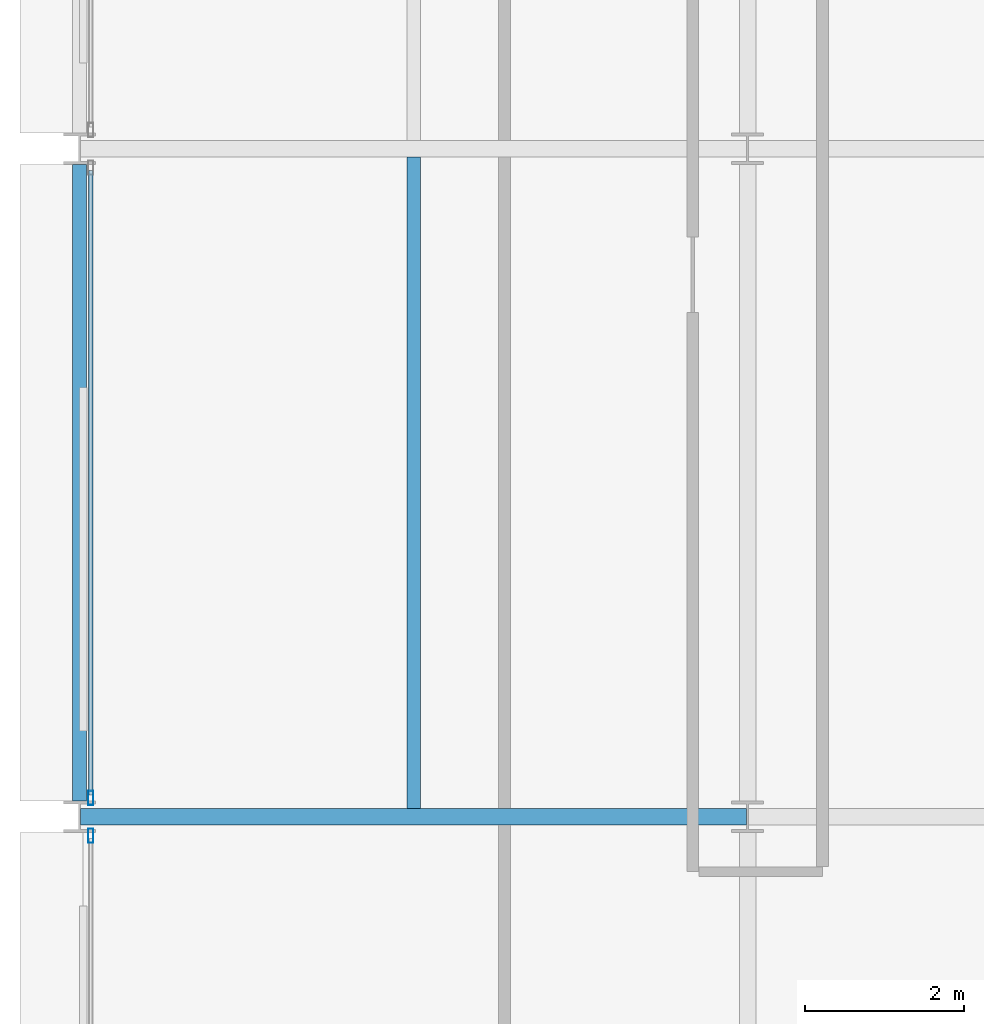
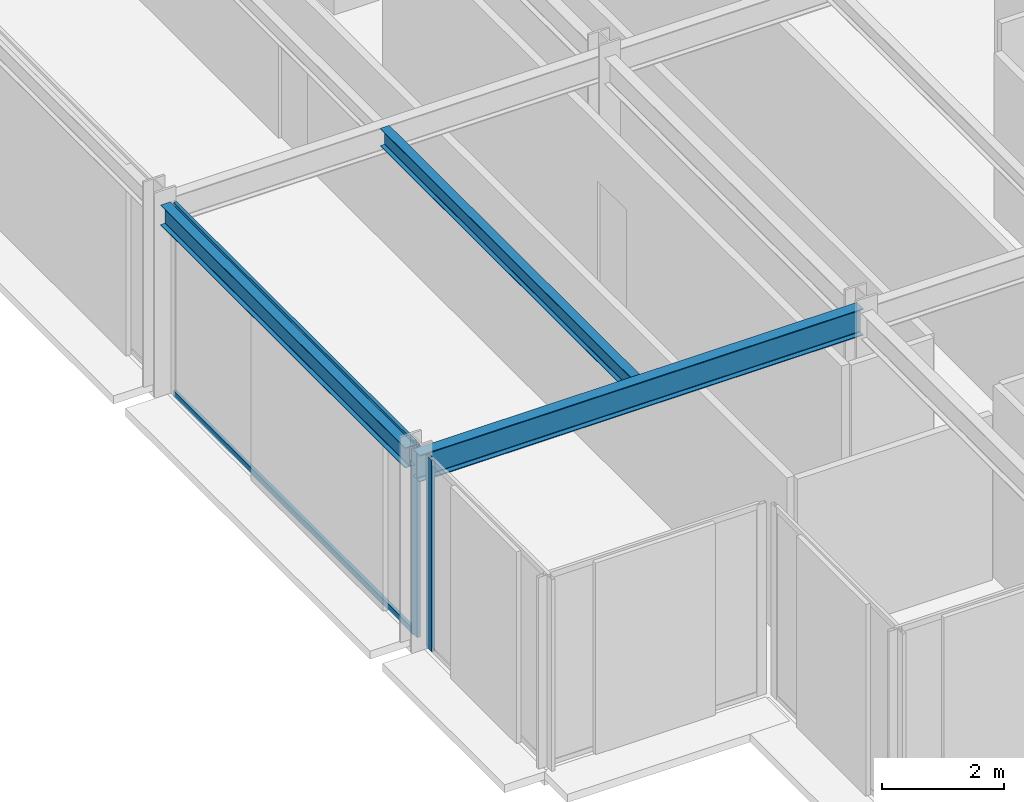
# One storey, part 4 of 30: 4 members, 3 beams, 2 elements without a shape of their own.
"""IFC4 building model written with IfcOpenShell, lengths in metres."""

from ifc_helpers import new_model, si_unit, direction, frame, origin, origin_2d, place, context, subcontext, project, spatial, hollow_rectangle, i_section, extrude, material, layer, layer_set, material_profile, profile_set, type_object, element, aggregate, save


model = new_model("IFC4")

# Units and contexts
model_context = context("Model", 3, precision=1e-05, world=origin(), true_north=direction((0.0, 1.0)))
body_context = subcontext(model_context, "Body", "Model", "MODEL_VIEW")
ifc_project = project(units=[si_unit("LENGTHUNIT", "METRE"), si_unit("AREAUNIT", "SQUARE_METRE"), si_unit("VOLUMEUNIT", "CUBIC_METRE"), si_unit("PLANEANGLEUNIT", "RADIAN"), si_unit("MASSUNIT", "GRAM", prefix="KILO")], contexts=[model_context])

# Site, building, storey
site_placement = place(None, origin())
site = spatial("IfcSite", under=ifc_project, at=site_placement, CompositionType="ELEMENT")
building_placement = place(site_placement, origin())
building = spatial("IfcBuilding", under=site, at=building_placement, Name="Nerrivon Quay Data Exchange", CompositionType="ELEMENT")
storey_placement = place(building_placement, frame((0.0, 0.0, 154.10009765625)))
storey = spatial("IfcBuildingStorey", under=building, at=storey_placement, Name="L36", CompositionType="ELEMENT", Elevation=154.10009765625)

# Beams
ifc_material_1 = material(Name="Steel Grade 350", Category="steel")
ifc_material_profile_1 = material_profile(ifc_material_1, i_section(OverallWidth=0.208984375, OverallDepth=0.532958984375, WebThickness=0.01025390625, FlangeThickness=0.015625, FilletRadius=0.013916015625, at=origin_2d()), Name="530UB92.4")
ifc_profile_set_1 = profile_set([ifc_material_profile_1], Name="Steel Grade 350")
beam_type_1 = type_object("IfcBeamType", Name="BM-G3-530UB92", PredefinedType="BEAM", material=ifc_profile_set_1)
beam_1_placement = place(storey_placement, frame((0.012451171875, 8.39990234375, 3.558349609375), z_axis=(1.0, 0.0, 0.0), x_axis=(0.0, 1.0, 0.0)))
element("IfcBeam", 1, at=beam_1_placement, inside=storey, type_object=beam_type_1, Name="L36 EW Girder Y=8.4 (0.0..8.4)", PredefinedType="BEAM", context=body_context, shape_type="SweptSolid", body=[
    extrude(i_section(OverallWidth=0.208984375, OverallDepth=0.532958984375, WebThickness=0.01025390625, FlangeThickness=0.015625, FilletRadius=0.013916015625, at=origin_2d()), origin(), (0.0, 0.0, 1.0), 8.375),
])
ifc_material_profile_2 = material_profile(ifc_material_1, i_section(OverallWidth=0.1708984375, OverallDepth=0.35595703125, WebThickness=0.00732421875, FlangeThickness=0.011474609375, FilletRadius=0.011474609375, at=origin_2d()), Name="360UB50.7")
ifc_profile_set_2 = profile_set([ifc_material_profile_2], Name="Steel Grade 350")
beam_type_2 = type_object("IfcBeamType", Name="BM-J4-360UB51", PredefinedType="JOIST", material=ifc_profile_set_2)
beam_2_placement = place(storey_placement, frame((4.199951171875, 8.50439453125, 3.64697265625), z_axis=(0.0, 1.0, 0.0), x_axis=(-1.0, 0.0, 0.0)))
element("IfcBeam", 2, at=beam_2_placement, inside=storey, type_object=beam_type_2, Name="L36 Secondary Joist X=4.2 (8.4..16.8)", PredefinedType="JOIST", context=body_context, shape_type="SweptSolid", body=[
    extrude(i_section(OverallWidth=0.1708984375, OverallDepth=0.35595703125, WebThickness=0.00732421875, FlangeThickness=0.011474609375, FilletRadius=0.011474609375, at=origin_2d()), origin(), (0.0, 0.0, 1.0), 8.191162109375),
])
ifc_material_profile_3 = material_profile(ifc_material_1, i_section(OverallWidth=0.177978515625, OverallDepth=0.403076171875, WebThickness=0.007568359375, FlangeThickness=0.010986328125, FilletRadius=0.011474609375, at=origin_2d()), Name="410UB53.7")
ifc_profile_set_3 = profile_set([ifc_material_profile_3], Name="Steel Grade 350")
beam_type_3 = type_object("IfcBeamType", Name="BM-SP2-410UB54", PredefinedType="SPANDREL", material=ifc_profile_set_3)
beam_3_placement = place(storey_placement, frame((0.0, 8.60009765625, 3.623291015625), z_axis=(0.0, 1.0, 0.0), x_axis=(-1.0, 0.0, 0.0)))
element("IfcBeam", 3, at=beam_3_placement, inside=storey, type_object=beam_type_3, Name="L36 NS Girder X=0.0 (8.4..16.8)", PredefinedType="SPANDREL", context=body_context, shape_type="SweptSolid", body=[
    extrude(i_section(OverallWidth=0.177978515625, OverallDepth=0.403076171875, WebThickness=0.007568359375, FlangeThickness=0.010986328125, FilletRadius=0.011474609375, at=origin_2d()), origin(), (0.0, 0.0, 1.0), 8.0),
])

# Curtain wall, member
ifc_material_2 = material(Name="Anodised aluminium 6063-T6", Category="aluminium")
ifc_layer = layer(ifc_material_2, 0.2099609375)
ifc_layer_set = layer_set([ifc_layer], Name="Anodised aluminium 6063-T6")
curtain_wall_type = type_object("IfcCurtainWallType", Name="CW-SYS-02", PredefinedType="NOTDEFINED", material=ifc_layer_set)
curtain_wall_1_placement = place(storey_placement, origin())
curtain_wall_1 = element("IfcCurtainWall", 4, at=curtain_wall_1_placement, inside=storey, type_object=curtain_wall_type, Name="L36 Unitised Curtain Wall 11", PredefinedType="NOTDEFINED")
ifc_material_profile_4 = material_profile(ifc_material_2, hollow_rectangle(XDim=0.06494140625, YDim=0.179931640625, WallThickness=0.00341796875, at=origin_2d()), Name="ALU-MULL-180x65")
ifc_profile_set_4 = profile_set([ifc_material_profile_4], Name="Anodised aluminium 6063-T6")
member_type_1 = type_object("IfcMemberType", Name="CWM-180x65", PredefinedType="MULLION", material=ifc_profile_set_4)
member_1_placement = place(storey_placement, frame((0.139892578125, 8.16259765625, 0.0), z_axis=(0.0, 0.0, 1.0), x_axis=(-1.0, 0.0, 0.0)))
member_1 = element("IfcMember", 5, at=member_1_placement, type_object=member_type_1, Name="CW02 mullion 2", PredefinedType="MULLION", context=body_context, shape_type="SweptSolid", body=[
    extrude(hollow_rectangle(XDim=0.06494140625, YDim=0.179931640625, WallThickness=0.00341796875, at=origin_2d()), origin(), (0.0, 0.0, 1.0), 3.824951171875),
])
aggregate(curtain_wall_1, [member_1])

# Curtain wall, members
curtain_wall_2_placement = place(storey_placement, origin())
curtain_wall_2 = element("IfcCurtainWall", 6, at=curtain_wall_2_placement, inside=storey, type_object=curtain_wall_type, Name="L36 Unitised Curtain Wall 12", PredefinedType="NOTDEFINED")
member_2_placement = place(storey_placement, frame((0.139892578125, 8.637451171875, 0.0), z_axis=(0.0, 0.0, 1.0), x_axis=(-1.0, 0.0, 0.0)))
member_2 = element("IfcMember", 7, at=member_2_placement, type_object=member_type_1, Name="CW02 mullion 1", PredefinedType="MULLION", context=body_context, shape_type="SweptSolid", body=[
    extrude(hollow_rectangle(XDim=0.06494140625, YDim=0.179931640625, WallThickness=0.00341796875, at=origin_2d()), origin(), (0.0, 0.0, 1.0), 3.824951171875),
])
ifc_material_profile_5 = material_profile(ifc_material_2, hollow_rectangle(XDim=0.06005859375, YDim=0.1201171875, WallThickness=0.003173828125, at=origin_2d()), Name="ALU-TRAN-120x60")
ifc_profile_set_5 = profile_set([ifc_material_profile_5], Name="Anodised aluminium 6063-T6")
member_type_2 = type_object("IfcMemberType", Name="CWT-120x60", PredefinedType="USERDEFINED", material=ifc_profile_set_5)
member_3_placement = place(storey_placement, frame((0.139892578125, 8.675048828125, 0.032470703125), z_axis=(0.0, 1.0, 0.0), x_axis=(-1.0, 0.0, 0.0)))
member_3 = element("IfcMember", 8, at=member_3_placement, type_object=member_type_2, Name="CW02 transom 1.1", ObjectType="TRANSOM", PredefinedType="USERDEFINED", context=body_context, shape_type="SweptSolid", body=[
    extrude(hollow_rectangle(XDim=0.06005859375, YDim=0.1201171875, WallThickness=0.003173828125, at=origin_2d()), origin(), (0.0, 0.0, 1.0), 7.849853515625),
])
member_4_placement = place(storey_placement, frame((0.139892578125, 8.675048828125, 3.79248046875), z_axis=(0.0, 1.0, 0.0), x_axis=(-1.0, 0.0, 0.0)))
member_4 = element("IfcMember", 9, at=member_4_placement, type_object=member_type_2, Name="CW02 transom 1.2", ObjectType="TRANSOM", PredefinedType="USERDEFINED", context=body_context, shape_type="SweptSolid", body=[
    extrude(hollow_rectangle(XDim=0.06005859375, YDim=0.1201171875, WallThickness=0.003173828125, at=origin_2d()), origin(), (0.0, 0.0, 1.0), 7.849853515625),
])
aggregate(curtain_wall_2, [member_2, member_3, member_4])

save(model, "model.ifc")
